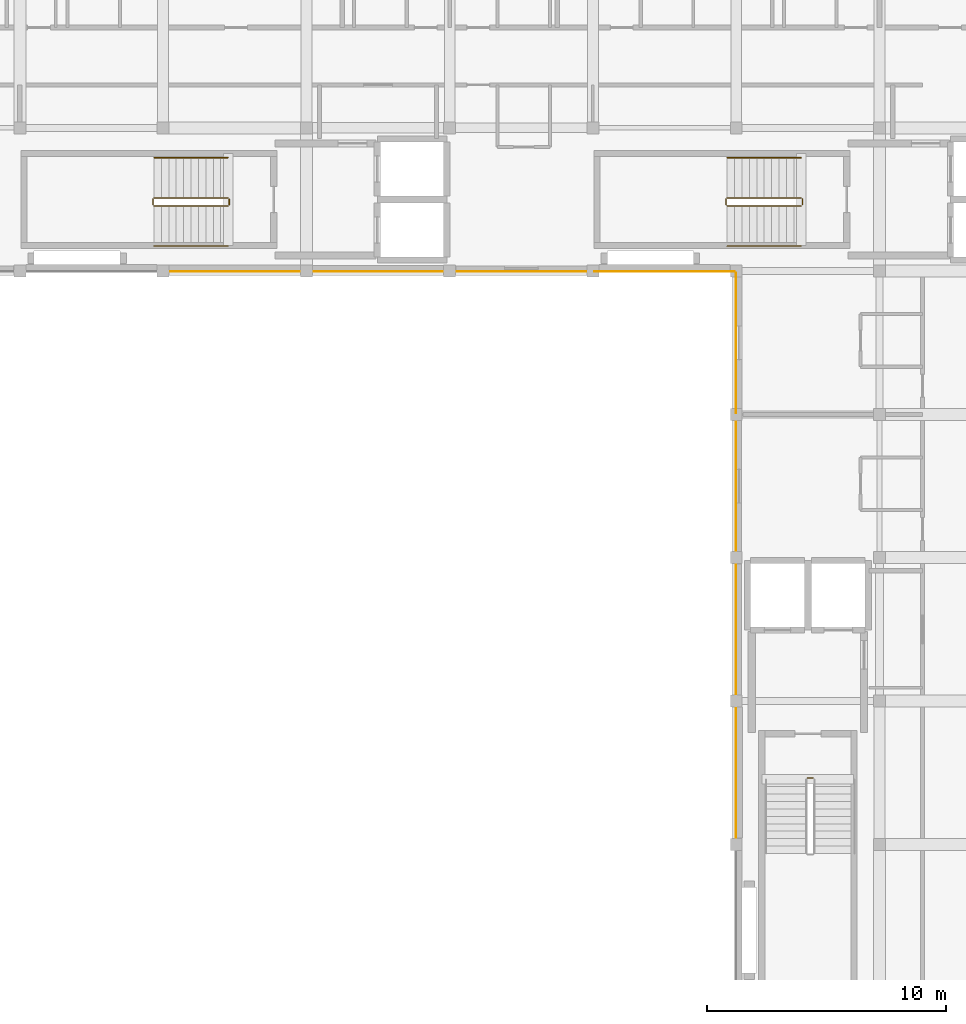
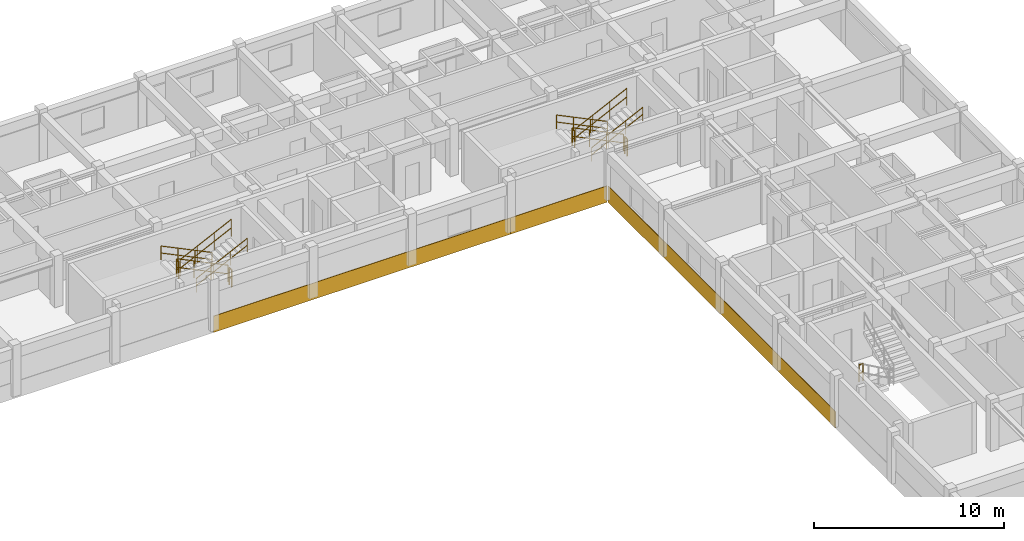
# One storey, part 13 of 14: 13 railings, 4 coverings.
"""IFC4 building model written with IfcOpenShell, lengths in metres."""

from ifc_helpers import new_model, si_unit, direction, frame, origin, origin_2d, place, context, subcontext, project, spatial, polyline, circle, outline, extrude, material, layer, layer_set, type_object, element, save


model = new_model("IFC4")

# Units and contexts
model_context = context("Model", 3, precision=1e-05, world=origin(), true_north=direction((0.0, 1.0)))
body_context = subcontext(model_context, "Body", "Model", "MODEL_VIEW")
ifc_project = project(units=[si_unit("LENGTHUNIT", "METRE"), si_unit("AREAUNIT", "SQUARE_METRE"), si_unit("VOLUMEUNIT", "CUBIC_METRE"), si_unit("PLANEANGLEUNIT", "RADIAN"), si_unit("MASSUNIT", "GRAM", prefix="KILO"), si_unit("THERMODYNAMICTEMPERATUREUNIT", "KELVIN"), si_unit("POWERUNIT", "WATT")], contexts=[model_context])

# Site, building, storey
site_placement = place(None, origin())
site = spatial("IfcSite", under=ifc_project, at=site_placement, CompositionType="ELEMENT")
building_placement = place(site_placement, origin())
building = spatial("IfcBuilding", under=site, at=building_placement, Name="Phaisarnlok Congress Hotel", CompositionType="ELEMENT")
storey_placement = place(building_placement, frame((0.0, 0.0, 44.699951171875)))
storey = spatial("IfcBuildingStorey", under=building, at=storey_placement, Name="L11", CompositionType="ELEMENT", Elevation=44.699951171875)

# Coverings
ifc_material_1 = material(Name="Anodised Silver Aluminium Alloy 6063-T6", Category="aluminium")
ifc_layer = layer(ifc_material_1, 0.031982421875, Name="Anodised Silver Aluminium Alloy 6063-T6")
ifc_layer_set = layer_set([ifc_layer], Name="Anodised Silver Aluminium Alloy 6063-T6")
covering_type = type_object("IfcCoveringType", Name="COV-SPAND-ALU", PredefinedType="CLADDING", material=ifc_layer_set)
covering_1_placement = place(storey_placement, frame((138.06005859375, 108.0048828125, -0.280029296875), z_axis=(0.0, -1.0, 0.0), x_axis=(1.0, 0.0, 0.0)))
element("IfcCovering", 1, at=covering_1_placement, inside=storey, type_object=covering_type, Name="Swiss minimalist anodised silver rainscreen band CL-02 (L11 S)", PredefinedType="CLADDING", context=body_context, shape_type="SweptSolid", body=[
    extrude(outline(polyline([(0.0, 0.0), (18.0, 0.0), (18.0, 1.050048828125), (0.0, 1.050048828125), (0.0, 0.0)])), origin(), (0.0, 0.0, 1.0), 0.031982421875),
])
covering_2_placement = place(storey_placement, frame((156.06005859375, 108.0048828125, -0.280029296875), z_axis=(0.0, -1.0, 0.0), x_axis=(1.0, 0.0, 0.0)))
element("IfcCovering", 2, at=covering_2_placement, inside=storey, type_object=covering_type, Name="Swiss minimalist anodised silver rainscreen band CL-02 (L11 S)", PredefinedType="CLADDING", context=body_context, shape_type="SweptSolid", body=[
    extrude(outline(polyline([(0.0, 0.0), (5.8798828125, 0.0), (5.8798828125, 1.050048828125), (0.0, 1.050048828125), (0.0, 0.0)])), origin(), (0.0, 0.0, 1.0), 0.031982421875),
])
covering_3_placement = place(storey_placement, frame((162.0048828125, 102.06005859375, -0.280029296875), z_axis=(-1.0, 0.0, 0.0), x_axis=(0.0, -1.0, 0.0)))
element("IfcCovering", 3, at=covering_3_placement, inside=storey, type_object=covering_type, Name="Swiss minimalist anodised silver rainscreen band CL-02 (L11 W)", PredefinedType="CLADDING", context=body_context, shape_type="SweptSolid", body=[
    extrude(outline(polyline([(0.0, 0.0), (18.0, 0.0), (18.0, 1.050048828125), (0.0, 1.050048828125), (0.0, 0.0)])), origin(), (0.0, 0.0, 1.0), 0.031982421875),
])
covering_4_placement = place(storey_placement, frame((162.0048828125, 107.93994140625, -0.280029296875), z_axis=(-1.0, 0.0, 0.0), x_axis=(0.0, -1.0, 0.0)))
element("IfcCovering", 4, at=covering_4_placement, inside=storey, type_object=covering_type, Name="Swiss minimalist anodised silver rainscreen band CL-02 (L11 W)", PredefinedType="CLADDING", context=body_context, shape_type="SweptSolid", body=[
    extrude(outline(polyline([(0.0, 0.0), (5.8798828125, 0.0), (5.8798828125, 1.050048828125), (0.0, 1.050048828125), (0.0, 0.0)])), origin(), (0.0, 0.0, 1.0), 0.031982421875),
])

# Railings
ifc_material_2 = material(Name="Painted Galvanised Steel S275", Category="steel")
railing_type_1 = type_object("IfcRailingType", Name="RLG-STR-GUARD", PredefinedType="BALUSTRADE", material=ifc_material_2)
railing_1_placement = place(storey_placement, frame((164.719970703125, 111.070068359375, 0.150146484375)))
element("IfcRailing", 5, at=railing_1_placement, inside=storey, type_object=railing_type_1, Name="L11 ST-05 stair guard 1", PredefinedType="BALUSTRADE", context=body_context, shape_type="SweptSolid", body=[
    extrude(circle(Radius=0.02392578125, at=origin_2d()), frame((0.0, 0.0, 1.076171875), z_axis=(-0.900151181449, 0.0, 0.435577605641), x_axis=(0.0, -1.0, 0.0)), (0.0, 0.0, 1.0), 3.443603515625),
    extrude(circle(Radius=0.02392578125, at=origin_2d()), frame((0.0, 0.0, 0.52587890625), z_axis=(-0.900151181449, 0.0, 0.435577605641), x_axis=(0.0, -1.0, 0.0)), (0.0, 0.0, 1.0), 3.443603515625),
    extrude(circle(Radius=0.02099609375, at=origin_2d()), origin(), (0.0, 0.0, 1.0), 1.052001953125),
    extrude(circle(Radius=0.02099609375, at=origin_2d()), frame((-1.033203125, 0.0, 0.5)), (0.0, 0.0, 1.0), 1.052001953125),
    extrude(circle(Radius=0.02099609375, at=origin_2d()), frame((-2.066650390625, 0.0, 1.0)), (0.0, 0.0, 1.0), 1.052001953125),
    extrude(circle(Radius=0.02099609375, at=origin_2d()), frame((-3.099853515625, 0.0, 1.5)), (0.0, 0.0, 1.0), 1.052001953125),
])
railing_2_placement = place(storey_placement, frame((161.570068359375, 111.02001953125, 1.650146484375)))
element("IfcRailing", 6, at=railing_2_placement, inside=storey, type_object=railing_type_1, Name="L11 ST-05 stair guard 2", PredefinedType="BALUSTRADE", context=body_context, shape_type="SweptSolid", body=[
    extrude(circle(Radius=0.02392578125, at=origin_2d()), frame((0.0, 0.0, 1.076171875), z_axis=(0.0, -1.0, 0.0), x_axis=(1.0, 0.0, 0.0)), (0.0, 0.0, 1.0), 0.239990234375),
    extrude(circle(Radius=0.02392578125, at=origin_2d()), frame((0.0, 0.0, 0.52587890625), z_axis=(0.0, -1.0, 0.0), x_axis=(1.0, 0.0, 0.0)), (0.0, 0.0, 1.0), 0.239990234375),
    extrude(circle(Radius=0.02099609375, at=origin_2d()), origin(), (0.0, 0.0, 1.0), 1.052001953125),
    extrude(circle(Radius=0.02099609375, at=origin_2d()), frame((0.0, -0.239990234375, 0.0)), (0.0, 0.0, 1.0), 1.052001953125),
])
railing_3_placement = place(storey_placement, frame((161.6201171875, 110.72998046875, 1.800048828125)))
element("IfcRailing", 7, at=railing_3_placement, inside=storey, type_object=railing_type_1, Name="L11 ST-05 stair guard 3", PredefinedType="BALUSTRADE", context=body_context, shape_type="SweptSolid", body=[
    extrude(circle(Radius=0.02392578125, at=origin_2d()), frame((0.0, 0.0, 1.076171875), z_axis=(0.900151181449, 0.0, 0.435577605641), x_axis=(0.0, 1.0, 0.0)), (0.0, 0.0, 1.0), 3.443603515625),
    extrude(circle(Radius=0.02392578125, at=origin_2d()), frame((0.0, 0.0, 0.52587890625), z_axis=(0.900151181449, 0.0, 0.435577605641), x_axis=(0.0, 1.0, 0.0)), (0.0, 0.0, 1.0), 3.443603515625),
    extrude(circle(Radius=0.02099609375, at=origin_2d()), origin(), (0.0, 0.0, 1.0), 1.052001953125),
    extrude(circle(Radius=0.02099609375, at=origin_2d()), frame((1.033203125, 0.0, 0.5)), (0.0, 0.0, 1.0), 1.052001953125),
    extrude(circle(Radius=0.02099609375, at=origin_2d()), frame((2.066650390625, 0.0, 1.0)), (0.0, 0.0, 1.0), 1.052001953125),
    extrude(circle(Radius=0.02099609375, at=origin_2d()), frame((3.099853515625, 0.0, 1.5)), (0.0, 0.0, 1.0), 1.052001953125),
])
railing_4_placement = place(storey_placement, frame((164.77001953125, 111.02001953125, 0.0)))
element("IfcRailing", 8, at=railing_4_placement, inside=storey, type_object=railing_type_1, Name="L11 ST-05 stair guard 4", PredefinedType="BALUSTRADE", context=body_context, shape_type="SweptSolid", body=[
    extrude(circle(Radius=0.02392578125, at=origin_2d()), frame((0.0, 0.0, 1.076171875), z_axis=(0.0, -1.0, 0.0), x_axis=(1.0, 0.0, 0.0)), (0.0, 0.0, 1.0), 0.239990234375),
    extrude(circle(Radius=0.02392578125, at=origin_2d()), frame((0.0, 0.0, 0.52587890625), z_axis=(0.0, -1.0, 0.0), x_axis=(1.0, 0.0, 0.0)), (0.0, 0.0, 1.0), 0.239990234375),
    extrude(circle(Radius=0.02099609375, at=origin_2d()), origin(), (0.0, 0.0, 1.0), 1.052001953125),
    extrude(circle(Radius=0.02099609375, at=origin_2d()), frame((0.0, -0.239990234375, 0.0)), (0.0, 0.0, 1.0), 1.052001953125),
])
railing_5_placement = place(storey_placement, frame((140.719970703125, 111.070068359375, 0.150146484375)))
element("IfcRailing", 9, at=railing_5_placement, inside=storey, type_object=railing_type_1, Name="L11 ST-06 stair guard 1", PredefinedType="BALUSTRADE", context=body_context, shape_type="SweptSolid", body=[
    extrude(circle(Radius=0.02392578125, at=origin_2d()), frame((0.0, 0.0, 1.076171875), z_axis=(-0.900151181449, 0.0, 0.435577605641), x_axis=(0.0, -1.0, 0.0)), (0.0, 0.0, 1.0), 3.443603515625),
    extrude(circle(Radius=0.02392578125, at=origin_2d()), frame((0.0, 0.0, 0.52587890625), z_axis=(-0.900151181449, 0.0, 0.435577605641), x_axis=(0.0, -1.0, 0.0)), (0.0, 0.0, 1.0), 3.443603515625),
    extrude(circle(Radius=0.02099609375, at=origin_2d()), origin(), (0.0, 0.0, 1.0), 1.052001953125),
    extrude(circle(Radius=0.02099609375, at=origin_2d()), frame((-1.033203125, 0.0, 0.5)), (0.0, 0.0, 1.0), 1.052001953125),
    extrude(circle(Radius=0.02099609375, at=origin_2d()), frame((-2.066650390625, 0.0, 1.0)), (0.0, 0.0, 1.0), 1.052001953125),
    extrude(circle(Radius=0.02099609375, at=origin_2d()), frame((-3.099853515625, 0.0, 1.5)), (0.0, 0.0, 1.0), 1.052001953125),
])
railing_6_placement = place(storey_placement, frame((137.570068359375, 111.02001953125, 1.650146484375)))
element("IfcRailing", 10, at=railing_6_placement, inside=storey, type_object=railing_type_1, Name="L11 ST-06 stair guard 2", PredefinedType="BALUSTRADE", context=body_context, shape_type="SweptSolid", body=[
    extrude(circle(Radius=0.02392578125, at=origin_2d()), frame((0.0, 0.0, 1.076171875), z_axis=(0.0, -1.0, 0.0), x_axis=(1.0, 0.0, 0.0)), (0.0, 0.0, 1.0), 0.239990234375),
    extrude(circle(Radius=0.02392578125, at=origin_2d()), frame((0.0, 0.0, 0.52587890625), z_axis=(0.0, -1.0, 0.0), x_axis=(1.0, 0.0, 0.0)), (0.0, 0.0, 1.0), 0.239990234375),
    extrude(circle(Radius=0.02099609375, at=origin_2d()), origin(), (0.0, 0.0, 1.0), 1.052001953125),
    extrude(circle(Radius=0.02099609375, at=origin_2d()), frame((0.0, -0.239990234375, 0.0)), (0.0, 0.0, 1.0), 1.052001953125),
])
railing_7_placement = place(storey_placement, frame((137.6201171875, 110.72998046875, 1.800048828125)))
element("IfcRailing", 11, at=railing_7_placement, inside=storey, type_object=railing_type_1, Name="L11 ST-06 stair guard 3", PredefinedType="BALUSTRADE", context=body_context, shape_type="SweptSolid", body=[
    extrude(circle(Radius=0.02392578125, at=origin_2d()), frame((0.0, 0.0, 1.076171875), z_axis=(0.900151181449, 0.0, 0.435577605641), x_axis=(0.0, 1.0, 0.0)), (0.0, 0.0, 1.0), 3.443603515625),
    extrude(circle(Radius=0.02392578125, at=origin_2d()), frame((0.0, 0.0, 0.52587890625), z_axis=(0.900151181449, 0.0, 0.435577605641), x_axis=(0.0, 1.0, 0.0)), (0.0, 0.0, 1.0), 3.443603515625),
    extrude(circle(Radius=0.02099609375, at=origin_2d()), origin(), (0.0, 0.0, 1.0), 1.052001953125),
    extrude(circle(Radius=0.02099609375, at=origin_2d()), frame((1.033203125, 0.0, 0.5)), (0.0, 0.0, 1.0), 1.052001953125),
    extrude(circle(Radius=0.02099609375, at=origin_2d()), frame((2.066650390625, 0.0, 1.0)), (0.0, 0.0, 1.0), 1.052001953125),
    extrude(circle(Radius=0.02099609375, at=origin_2d()), frame((3.099853515625, 0.0, 1.5)), (0.0, 0.0, 1.0), 1.052001953125),
])
railing_8_placement = place(storey_placement, frame((140.77001953125, 111.02001953125, 0.0)))
element("IfcRailing", 12, at=railing_8_placement, inside=storey, type_object=railing_type_1, Name="L11 ST-06 stair guard 4", PredefinedType="BALUSTRADE", context=body_context, shape_type="SweptSolid", body=[
    extrude(circle(Radius=0.02392578125, at=origin_2d()), frame((0.0, 0.0, 1.076171875), z_axis=(0.0, -1.0, 0.0), x_axis=(1.0, 0.0, 0.0)), (0.0, 0.0, 1.0), 0.239990234375),
    extrude(circle(Radius=0.02392578125, at=origin_2d()), frame((0.0, 0.0, 0.52587890625), z_axis=(0.0, -1.0, 0.0), x_axis=(1.0, 0.0, 0.0)), (0.0, 0.0, 1.0), 0.239990234375),
    extrude(circle(Radius=0.02099609375, at=origin_2d()), origin(), (0.0, 0.0, 1.0), 1.052001953125),
    extrude(circle(Radius=0.02099609375, at=origin_2d()), frame((0.0, -0.239990234375, 0.0)), (0.0, 0.0, 1.0), 1.052001953125),
])
railing_9_placement = place(storey_placement, frame((164.97998046875, 86.77001953125, 0.0)))
element("IfcRailing", 13, at=railing_9_placement, inside=storey, type_object=railing_type_1, Name="L11 ST-09 stair guard 4", PredefinedType="BALUSTRADE", context=body_context, shape_type="SweptSolid", body=[
    extrude(circle(Radius=0.02392578125, at=origin_2d()), frame((0.0, 0.0, 1.076171875), z_axis=(1.0, 0.0, 0.0), x_axis=(0.0, 1.0, 0.0)), (0.0, 0.0, 1.0), 0.239990234375),
    extrude(circle(Radius=0.02392578125, at=origin_2d()), frame((0.0, 0.0, 0.52587890625), z_axis=(1.0, 0.0, 0.0), x_axis=(0.0, 1.0, 0.0)), (0.0, 0.0, 1.0), 0.239990234375),
    extrude(circle(Radius=0.02099609375, at=origin_2d()), origin(), (0.0, 0.0, 1.0), 1.052001953125),
    extrude(circle(Radius=0.02099609375, at=origin_2d()), frame((0.239990234375, 0.0, 0.0)), (0.0, 0.0, 1.0), 1.052001953125),
])
ifc_material_3 = material(Name="Brushed Stainless Steel Grade 304", Category="steel")
railing_type_2 = type_object("IfcRailingType", Name="RLG-STR-HRAIL", PredefinedType="HANDRAIL", material=ifc_material_3)
railing_10_placement = place(storey_placement, frame((164.719970703125, 112.75, 0.150146484375)))
element("IfcRailing", 14, at=railing_10_placement, inside=storey, type_object=railing_type_2, Name="L11 ST-05 stair handrail 1", PredefinedType="HANDRAIL", context=body_context, shape_type="SweptSolid", body=[
    extrude(circle(Radius=0.02392578125, at=origin_2d()), frame((0.0, 0.0, 0.8759765625), z_axis=(-0.900151181449, 0.0, 0.435577605641), x_axis=(0.0, -1.0, 0.0)), (0.0, 0.0, 1.0), 3.443603515625),
    extrude(circle(Radius=0.02392578125, at=origin_2d()), frame((0.0, 0.0, 0.42578125), z_axis=(-0.900151181449, 0.0, 0.435577605641), x_axis=(0.0, -1.0, 0.0)), (0.0, 0.0, 1.0), 3.443603515625),
    extrude(circle(Radius=0.02099609375, at=origin_2d()), origin(), (0.0, 0.0, 1.0), 0.851806640625),
    extrude(circle(Radius=0.02099609375, at=origin_2d()), frame((-1.033203125, 0.0, 0.5)), (0.0, 0.0, 1.0), 0.851806640625),
    extrude(circle(Radius=0.02099609375, at=origin_2d()), frame((-2.066650390625, 0.0, 1.0)), (0.0, 0.0, 1.0), 0.851806640625),
    extrude(circle(Radius=0.02099609375, at=origin_2d()), frame((-3.099853515625, 0.0, 1.5)), (0.0, 0.0, 1.0), 0.851806640625),
])
railing_11_placement = place(storey_placement, frame((161.6201171875, 109.050048828125, 1.800048828125)))
element("IfcRailing", 15, at=railing_11_placement, inside=storey, type_object=railing_type_2, Name="L11 ST-05 stair handrail 2", PredefinedType="HANDRAIL", context=body_context, shape_type="SweptSolid", body=[
    extrude(circle(Radius=0.02392578125, at=origin_2d()), frame((0.0, 0.0, 0.8759765625), z_axis=(0.900151181449, 0.0, 0.435577605641), x_axis=(0.0, 1.0, 0.0)), (0.0, 0.0, 1.0), 3.443603515625),
    extrude(circle(Radius=0.02392578125, at=origin_2d()), frame((0.0, 0.0, 0.42578125), z_axis=(0.900151181449, 0.0, 0.435577605641), x_axis=(0.0, 1.0, 0.0)), (0.0, 0.0, 1.0), 3.443603515625),
    extrude(circle(Radius=0.02099609375, at=origin_2d()), origin(), (0.0, 0.0, 1.0), 0.851806640625),
    extrude(circle(Radius=0.02099609375, at=origin_2d()), frame((1.033203125, 0.0, 0.5)), (0.0, 0.0, 1.0), 0.851806640625),
    extrude(circle(Radius=0.02099609375, at=origin_2d()), frame((2.066650390625, 0.0, 1.0)), (0.0, 0.0, 1.0), 0.851806640625),
    extrude(circle(Radius=0.02099609375, at=origin_2d()), frame((3.099853515625, 0.0, 1.5)), (0.0, 0.0, 1.0), 0.851806640625),
])
railing_12_placement = place(storey_placement, frame((140.719970703125, 112.75, 0.150146484375)))
element("IfcRailing", 16, at=railing_12_placement, inside=storey, type_object=railing_type_2, Name="L11 ST-06 stair handrail 1", PredefinedType="HANDRAIL", context=body_context, shape_type="SweptSolid", body=[
    extrude(circle(Radius=0.02392578125, at=origin_2d()), frame((0.0, 0.0, 0.8759765625), z_axis=(-0.900151181449, 0.0, 0.435577605641), x_axis=(0.0, -1.0, 0.0)), (0.0, 0.0, 1.0), 3.443603515625),
    extrude(circle(Radius=0.02392578125, at=origin_2d()), frame((0.0, 0.0, 0.42578125), z_axis=(-0.900151181449, 0.0, 0.435577605641), x_axis=(0.0, -1.0, 0.0)), (0.0, 0.0, 1.0), 3.443603515625),
    extrude(circle(Radius=0.02099609375, at=origin_2d()), origin(), (0.0, 0.0, 1.0), 0.851806640625),
    extrude(circle(Radius=0.02099609375, at=origin_2d()), frame((-1.033203125, 0.0, 0.5)), (0.0, 0.0, 1.0), 0.851806640625),
    extrude(circle(Radius=0.02099609375, at=origin_2d()), frame((-2.066650390625, 0.0, 1.0)), (0.0, 0.0, 1.0), 0.851806640625),
    extrude(circle(Radius=0.02099609375, at=origin_2d()), frame((-3.099853515625, 0.0, 1.5)), (0.0, 0.0, 1.0), 0.851806640625),
])
railing_13_placement = place(storey_placement, frame((137.6201171875, 109.050048828125, 1.800048828125)))
element("IfcRailing", 17, at=railing_13_placement, inside=storey, type_object=railing_type_2, Name="L11 ST-06 stair handrail 2", PredefinedType="HANDRAIL", context=body_context, shape_type="SweptSolid", body=[
    extrude(circle(Radius=0.02392578125, at=origin_2d()), frame((0.0, 0.0, 0.8759765625), z_axis=(0.900151181449, 0.0, 0.435577605641), x_axis=(0.0, 1.0, 0.0)), (0.0, 0.0, 1.0), 3.443603515625),
    extrude(circle(Radius=0.02392578125, at=origin_2d()), frame((0.0, 0.0, 0.42578125), z_axis=(0.900151181449, 0.0, 0.435577605641), x_axis=(0.0, 1.0, 0.0)), (0.0, 0.0, 1.0), 3.443603515625),
    extrude(circle(Radius=0.02099609375, at=origin_2d()), origin(), (0.0, 0.0, 1.0), 0.851806640625),
    extrude(circle(Radius=0.02099609375, at=origin_2d()), frame((1.033203125, 0.0, 0.5)), (0.0, 0.0, 1.0), 0.851806640625),
    extrude(circle(Radius=0.02099609375, at=origin_2d()), frame((2.066650390625, 0.0, 1.0)), (0.0, 0.0, 1.0), 0.851806640625),
    extrude(circle(Radius=0.02099609375, at=origin_2d()), frame((3.099853515625, 0.0, 1.5)), (0.0, 0.0, 1.0), 0.851806640625),
])

save(model, "model.ifc")
